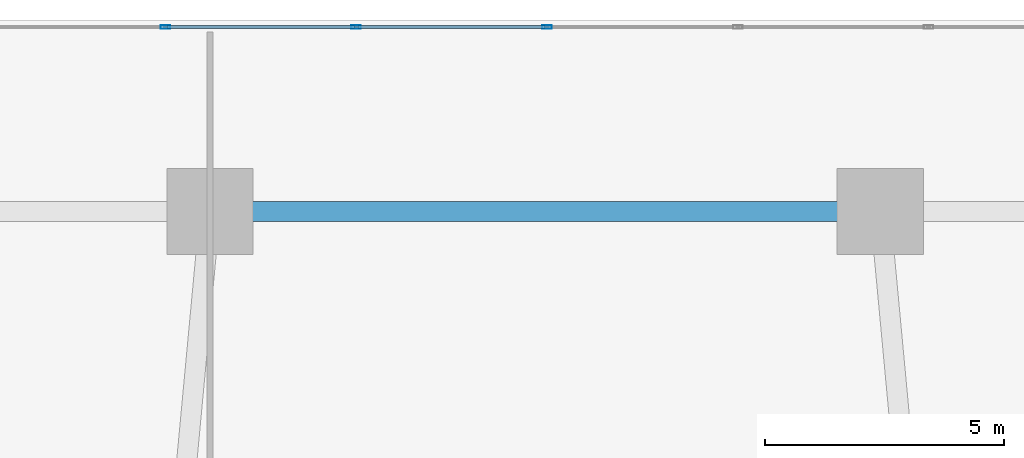
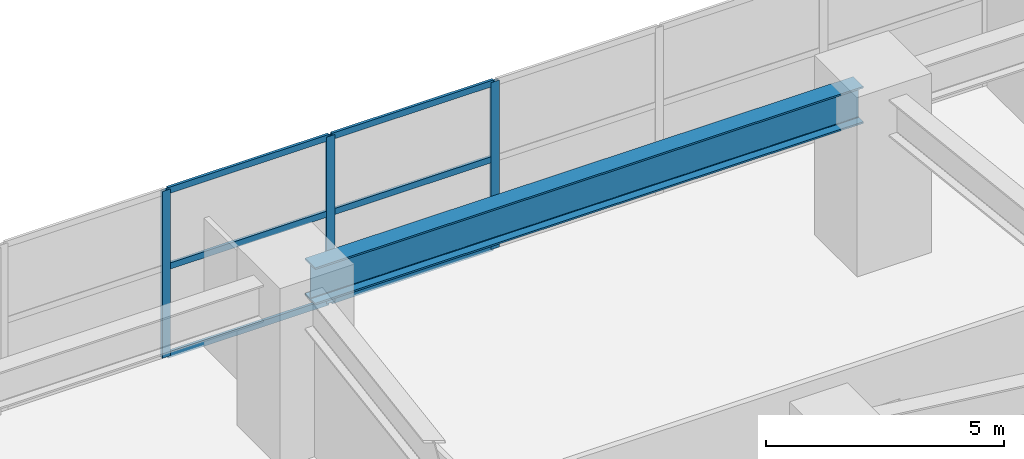
# One storey, part 11 of 25: 9 members, 1 beam, 1 element without a shape of its own.
"""IFC4 building model written with IfcOpenShell, lengths in metres."""

from ifc_helpers import new_model, si_unit, direction, frame, origin, origin_2d, place, context, subcontext, project, spatial, hollow_rectangle, i_section, extrude, material, layer, layer_set, material_profile, profile_set, type_object, element, aggregate, save


model = new_model("IFC4")

# Units and contexts
model_context = context("Model", 3, precision=1e-05, world=origin(), true_north=direction((0.0, 1.0)))
body_context = subcontext(model_context, "Body", "Model", "MODEL_VIEW")
ifc_project = project(units=[si_unit("LENGTHUNIT", "METRE"), si_unit("AREAUNIT", "SQUARE_METRE"), si_unit("VOLUMEUNIT", "CUBIC_METRE"), si_unit("PLANEANGLEUNIT", "RADIAN"), si_unit("MASSUNIT", "GRAM", prefix="KILO")], contexts=[model_context])

# Site, building, storey
site_placement = place(None, origin())
site = spatial("IfcSite", under=ifc_project, at=site_placement, CompositionType="ELEMENT")
building_placement = place(site_placement, origin())
building = spatial("IfcBuilding", under=site, at=building_placement, Name="Solvane Sanctuary Tower", CompositionType="ELEMENT")
storey_placement = place(building_placement, frame((0.0, 0.0, 13.800048828125)))
storey = spatial("IfcBuildingStorey", under=building, at=storey_placement, Name="L04", CompositionType="ELEMENT", Elevation=13.800048828125)

# Beam
ifc_material_1 = material(Name="Steel ASTM A913 Grade 65", Category="steel")
ifc_material_profile_1 = material_profile(ifc_material_1, i_section(OverallWidth=0.423095703125, OverallDepth=0.947998046875, WebThickness=0.02392578125, FlangeThickness=0.042724609375, FilletRadius=0.02392578125, at=origin_2d()), Name="W36X302")
ifc_profile_set_1 = profile_set([ifc_material_profile_1], Name="Steel ASTM A913 Grade 65")
beam_type = type_object("IfcBeamType", Name="Beam B-POD-GIRD W36X302", PredefinedType="BEAM", material=ifc_profile_set_1)
beam_placement = place(storey_placement, frame((38.64990234375, 42.0, 3.803955078125), z_axis=(-1.0, 0.0, 0.0), x_axis=(0.0, -1.0, 0.0)))
element("IfcBeam", 1, at=beam_placement, inside=storey, type_object=beam_type, Name="L04 Podium Primary Girder PG6", PredefinedType="BEAM", context=body_context, shape_type="SweptSolid", body=[
    extrude(i_section(OverallWidth=0.423095703125, OverallDepth=0.947998046875, WebThickness=0.02392578125, FlangeThickness=0.042724609375, FilletRadius=0.02392578125, at=origin_2d()), origin(), (0.0, 0.0, 1.0), 13.2998046875),
])

# Curtain wall, members
ifc_material_2 = material(Name="Anodised Aluminium 6063-T6", Category="aluminium")
ifc_layer = layer(ifc_material_2, 0.159912109375, Name="Anodised Aluminium 6063-T6")
ifc_layer_set = layer_set([ifc_layer], Name="Anodised Aluminium 6063-T6")
curtain_wall_type = type_object("IfcCurtainWallType", Name="Curtain Wall CW-POD", PredefinedType="NOTDEFINED", material=ifc_layer_set)
curtain_wall_placement = place(storey_placement, origin())
curtain_wall = element("IfcCurtainWall", 2, at=curtain_wall_placement, inside=storey, type_object=curtain_wall_type, Name="L04 Sanctuary Curtain Wall N2", PredefinedType="NOTDEFINED")
ifc_material_profile_2 = material_profile(ifc_material_2, hollow_rectangle(XDim=0.074951171875, YDim=0.199951171875, WallThickness=0.00390625, at=origin_2d()), Name="ALU200X75X4")
ifc_profile_set_2 = profile_set([ifc_material_profile_2], Name="Anodised Aluminium 6063-T6")
member_type_1 = type_object("IfcMemberType", Name="Member M-CW-MUL-1 ALU200X75X4", PredefinedType="MULLION", material=ifc_profile_set_2)
member_1_placement = place(storey_placement, frame((32.0400390625, 45.85009765625, 0.0), z_axis=(0.0, 0.0, 1.0), x_axis=(0.0, -1.0, 0.0)))
member_1 = element("IfcMember", 3, at=member_1_placement, type_object=member_type_1, Name="CW-POD mullion 4", PredefinedType="MULLION", context=body_context, shape_type="SweptSolid", body=[
    extrude(hollow_rectangle(XDim=0.074951171875, YDim=0.199951171875, WallThickness=0.00390625, at=origin_2d()), origin(), (0.0, 0.0, 1.0), 4.280029296875),
])
member_2_placement = place(storey_placement, frame((28.05322265625, 45.85009765625, 0.0), z_axis=(0.0, 0.0, 1.0), x_axis=(0.0, -1.0, 0.0)))
member_2 = element("IfcMember", 4, at=member_2_placement, type_object=member_type_1, Name="CW-POD mullion 5", PredefinedType="MULLION", context=body_context, shape_type="SweptSolid", body=[
    extrude(hollow_rectangle(XDim=0.074951171875, YDim=0.199951171875, WallThickness=0.00390625, at=origin_2d()), origin(), (0.0, 0.0, 1.0), 4.280029296875),
])
member_3_placement = place(storey_placement, frame((24.066650390625, 45.85009765625, 0.0), z_axis=(0.0, 0.0, 1.0), x_axis=(0.0, -1.0, 0.0)))
member_3 = element("IfcMember", 5, at=member_3_placement, type_object=member_type_1, Name="CW-POD mullion 6", PredefinedType="MULLION", context=body_context, shape_type="SweptSolid", body=[
    extrude(hollow_rectangle(XDim=0.074951171875, YDim=0.199951171875, WallThickness=0.00390625, at=origin_2d()), origin(), (0.0, 0.0, 1.0), 4.280029296875),
])
ifc_material_profile_3 = material_profile(ifc_material_2, hollow_rectangle(XDim=0.06494140625, YDim=0.159912109375, WallThickness=0.00341796875, at=origin_2d()), Name="ALU160X65X3.5")
ifc_profile_set_3 = profile_set([ifc_material_profile_3], Name="Anodised Aluminium 6063-T6")
member_type_2 = type_object("IfcMemberType", Name="Member M-CW-TRN-1 ALU160X65X3.5", PredefinedType="USERDEFINED", material=ifc_profile_set_3)
member_4_placement = place(storey_placement, frame((32.00244140625, 45.85009765625, 0.032470703125), z_axis=(-1.0, 0.0, 0.0), x_axis=(0.0, -1.0, 0.0)))
member_4 = element("IfcMember", 6, at=member_4_placement, type_object=member_type_2, Name="CW-POD transom 4.1", ObjectType="TRANSOM", PredefinedType="USERDEFINED", context=body_context, shape_type="SweptSolid", body=[
    extrude(hollow_rectangle(XDim=0.06494140625, YDim=0.159912109375, WallThickness=0.00341796875, at=origin_2d()), origin(), (0.0, 0.0, 1.0), 3.91162109375),
])
member_5_placement = place(storey_placement, frame((32.00244140625, 45.85009765625, 2.300048828125), z_axis=(-1.0, 0.0, 0.0), x_axis=(0.0, -1.0, 0.0)))
member_5 = element("IfcMember", 7, at=member_5_placement, type_object=member_type_2, Name="CW-POD transom 4.2", ObjectType="TRANSOM", PredefinedType="USERDEFINED", context=body_context, shape_type="SweptSolid", body=[
    extrude(hollow_rectangle(XDim=0.06494140625, YDim=0.159912109375, WallThickness=0.00341796875, at=origin_2d()), origin(), (0.0, 0.0, 1.0), 3.91162109375),
])
member_6_placement = place(storey_placement, frame((32.00244140625, 45.85009765625, 4.24755859375), z_axis=(-1.0, 0.0, 0.0), x_axis=(0.0, -1.0, 0.0)))
member_6 = element("IfcMember", 8, at=member_6_placement, type_object=member_type_2, Name="CW-POD transom 4.3", ObjectType="TRANSOM", PredefinedType="USERDEFINED", context=body_context, shape_type="SweptSolid", body=[
    extrude(hollow_rectangle(XDim=0.06494140625, YDim=0.159912109375, WallThickness=0.00341796875, at=origin_2d()), origin(), (0.0, 0.0, 1.0), 3.91162109375),
])
member_7_placement = place(storey_placement, frame((28.015869140625, 45.85009765625, 0.032470703125), z_axis=(-1.0, 0.0, 0.0), x_axis=(0.0, -1.0, 0.0)))
member_7 = element("IfcMember", 9, at=member_7_placement, type_object=member_type_2, Name="CW-POD transom 5.1", ObjectType="TRANSOM", PredefinedType="USERDEFINED", context=body_context, shape_type="SweptSolid", body=[
    extrude(hollow_rectangle(XDim=0.06494140625, YDim=0.159912109375, WallThickness=0.00341796875, at=origin_2d()), origin(), (0.0, 0.0, 1.0), 3.91162109375),
])
member_8_placement = place(storey_placement, frame((28.015869140625, 45.85009765625, 2.300048828125), z_axis=(-1.0, 0.0, 0.0), x_axis=(0.0, -1.0, 0.0)))
member_8 = element("IfcMember", 10, at=member_8_placement, type_object=member_type_2, Name="CW-POD transom 5.2", ObjectType="TRANSOM", PredefinedType="USERDEFINED", context=body_context, shape_type="SweptSolid", body=[
    extrude(hollow_rectangle(XDim=0.06494140625, YDim=0.159912109375, WallThickness=0.00341796875, at=origin_2d()), origin(), (0.0, 0.0, 1.0), 3.91162109375),
])
member_9_placement = place(storey_placement, frame((28.015869140625, 45.85009765625, 4.24755859375), z_axis=(-1.0, 0.0, 0.0), x_axis=(0.0, -1.0, 0.0)))
member_9 = element("IfcMember", 11, at=member_9_placement, type_object=member_type_2, Name="CW-POD transom 5.3", ObjectType="TRANSOM", PredefinedType="USERDEFINED", context=body_context, shape_type="SweptSolid", body=[
    extrude(hollow_rectangle(XDim=0.06494140625, YDim=0.159912109375, WallThickness=0.00341796875, at=origin_2d()), origin(), (0.0, 0.0, 1.0), 3.91162109375),
])
aggregate(curtain_wall, [member_1, member_2, member_3, member_4, member_5, member_6, member_7, member_8, member_9])

save(model, "model.ifc")
